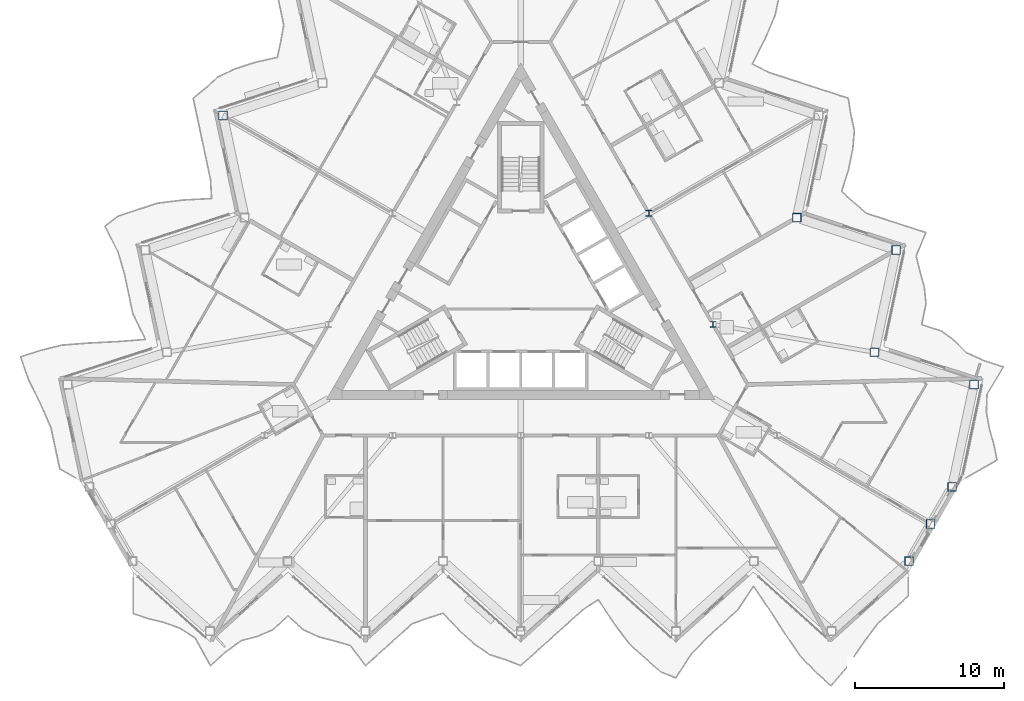
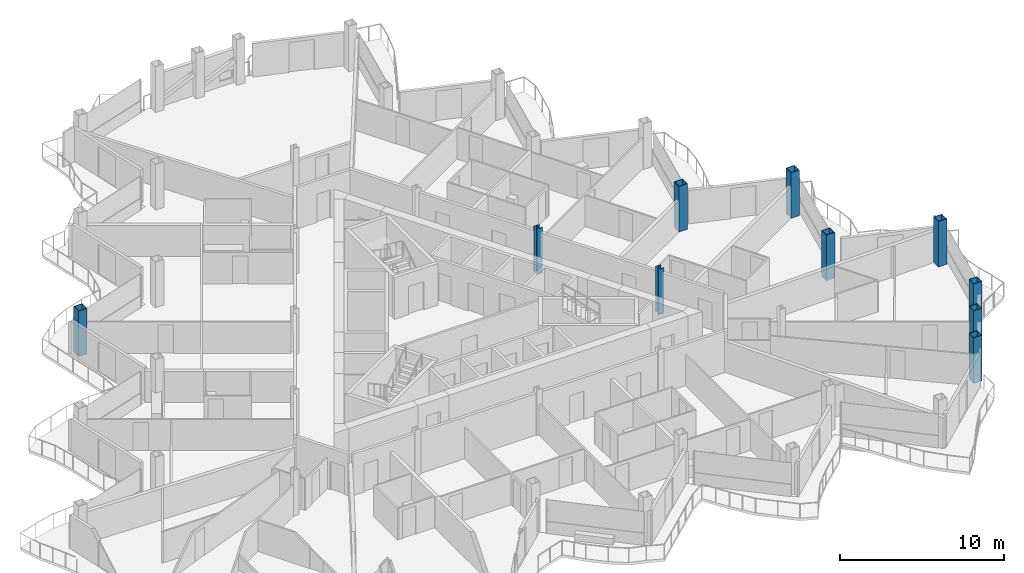
# One storey, part 2 of 28: 10 columns.
"""IFC4 building model written with IfcOpenShell, lengths in metres."""

from ifc_helpers import new_model, si_unit, direction, frame, origin, origin_2d, place, context, subcontext, project, spatial, hollow_rectangle, i_section, extrude, material, material_profile, profile_set, type_object, element, save


model = new_model("IFC4")

# Units and contexts
model_context = context("Model", 3, precision=1e-05, world=origin(), true_north=direction((0.0, 1.0)))
body_context = subcontext(model_context, "Body", "Model", "MODEL_VIEW")
ifc_project = project(units=[si_unit("LENGTHUNIT", "METRE"), si_unit("AREAUNIT", "SQUARE_METRE"), si_unit("VOLUMEUNIT", "CUBIC_METRE"), si_unit("PLANEANGLEUNIT", "RADIAN"), si_unit("MASSUNIT", "GRAM", prefix="KILO")], contexts=[model_context])

# Site, building, storey
site_placement = place(None, origin())
site = spatial("IfcSite", under=ifc_project, at=site_placement, CompositionType="ELEMENT")
building_placement = place(site_placement, origin())
building = spatial("IfcBuilding", under=site, at=building_placement, Name="Cormorant Prow Tower", CompositionType="ELEMENT")
storey_placement = place(building_placement, frame((0.0, 0.0, 301.800048828125)))
storey = spatial("IfcBuildingStorey", under=building, at=storey_placement, Name="L65", CompositionType="ELEMENT", Elevation=301.800048828125)

# Columns
ifc_material_1 = material(Name="Structural steel ASTM A572 Gr 50", Category="steel")
ifc_material_profile_1 = material_profile(ifc_material_1, hollow_rectangle(XDim=0.60009765625, YDim=0.60009765625, WallThickness=0.0400390625, at=origin_2d()), Name="Box 600x600x40")
ifc_profile_set_1 = profile_set([ifc_material_profile_1], Name="Structural steel ASTM A572 Gr 50")
column_type_1 = type_object("IfcColumnType", Name="Perimeter box column 600x600x40", PredefinedType="COLUMN", material=ifc_profile_set_1)
for number, where, z_axis, x_axis, name in (
    (1, (25.995361328125, -18.326904296875, 0.0), (0.0, 0.0, 1.0), (1.0, 0.0, 0.0), "Perimeter column C6 at ESE00 L65"),
    (2, (27.432373046875, -15.838134765625, 0.0), (0.0, 0.0, 1.0), (1.0, 0.0, 0.0), "Perimeter column C6 at ESE01 L65"),
    (3, (28.869140625, -13.349365234375, 0.0), (0.0, 0.0, 1.0), (1.0, 0.0, 0.0), "Perimeter column C6 at ENE00 L65"),
    (4, (30.32373046875, -6.506103515625, 0.0), (0.0, 0.0, 1.0), (1.0, 0.0, 0.0), "Perimeter column C6 at ENE01 L65"),
    (5, (23.670166015625, -4.34423828125, 0.0), (0.0, 0.0, 1.0), (1.0, 0.0, 0.0), "Perimeter column C6 at ENE02 L65"),
    (6, (25.124755859375, 2.4990234375, 0.0), (0.0, 0.0, 1.0), (1.0, 0.0, 0.0), "Perimeter column C6 at ENE03 L65"),
    (7, (18.470947265625, 4.660888671875, 0.0), (0.0, 0.0, 1.0), (1.0, 0.0, 0.0), "Perimeter column C6 at ENE04 L65"),
    (8, (-19.925537109375, 11.504150390625, 0.0), (0.0, 0.0, 1.0), (1.0, 0.0, 0.0), "Perimeter column C6 at WNW05 L65"),
):
    element("IfcColumn", number, at=place(storey_placement, frame(where, z_axis=z_axis, x_axis=x_axis)), inside=storey, type_object=column_type_1, Name=name, PredefinedType="COLUMN", context=body_context, shape_type="SweptSolid", body=[
        extrude(hollow_rectangle(XDim=0.60009765625, YDim=0.60009765625, WallThickness=0.0400390625, at=origin_2d()), origin(), (0.0, 0.0, 1.0), 3.39990234375),
    ])
ifc_material_2 = material(Name="Structural steel ASTM A992 Gr 50", Category="steel")
ifc_material_profile_2 = material_profile(ifc_material_2, i_section(OverallWidth=0.3955078125, OverallDepth=0.380615234375, WebThickness=0.018798828125, FlangeThickness=0.0302734375, at=origin_2d()), Name="W14x159")
ifc_profile_set_2 = profile_set([ifc_material_profile_2], Name="Structural steel ASTM A992 Gr 50")
column_type_2 = type_object("IfcColumnType", Name="Ring column W14x159", PredefinedType="COLUMN", material=ifc_profile_set_2)
for number, where, z_axis, x_axis, name in (
    (9, (12.86767578125, -2.476318359375, 0.0), (0.0, 0.0, 1.0), (1.0, 0.0, 0.0), "Ring column 10 L65"),
    (10, (8.578369140625, 4.952880859375, 0.0), (0.0, 0.0, 1.0), (1.0, 0.0, 0.0), "Ring column 11 L65"),
):
    element("IfcColumn", number, at=place(storey_placement, frame(where, z_axis=z_axis, x_axis=x_axis)), inside=storey, type_object=column_type_2, Name=name, PredefinedType="COLUMN", context=body_context, shape_type="SweptSolid", body=[
        extrude(i_section(OverallWidth=0.3955078125, OverallDepth=0.380615234375, WebThickness=0.018798828125, FlangeThickness=0.0302734375, at=origin_2d()), origin(), (0.0, 0.0, 1.0), 3.39990234375),
    ])

save(model, "model.ifc")
